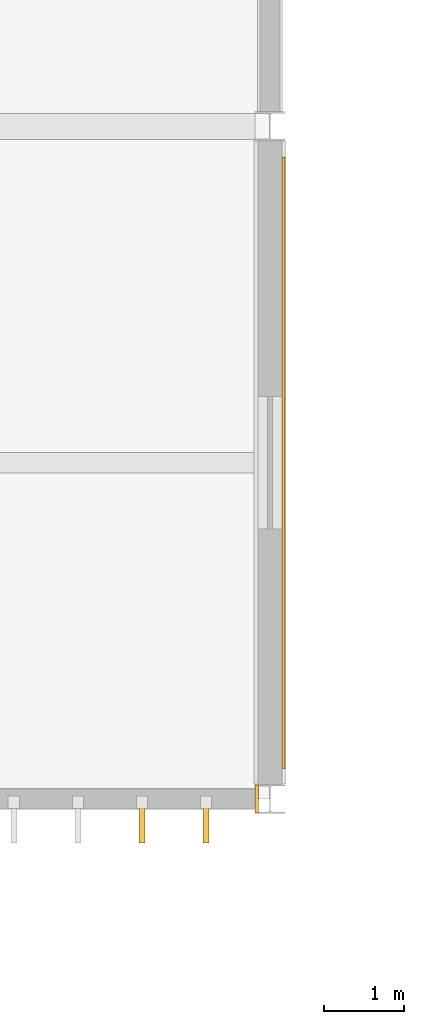
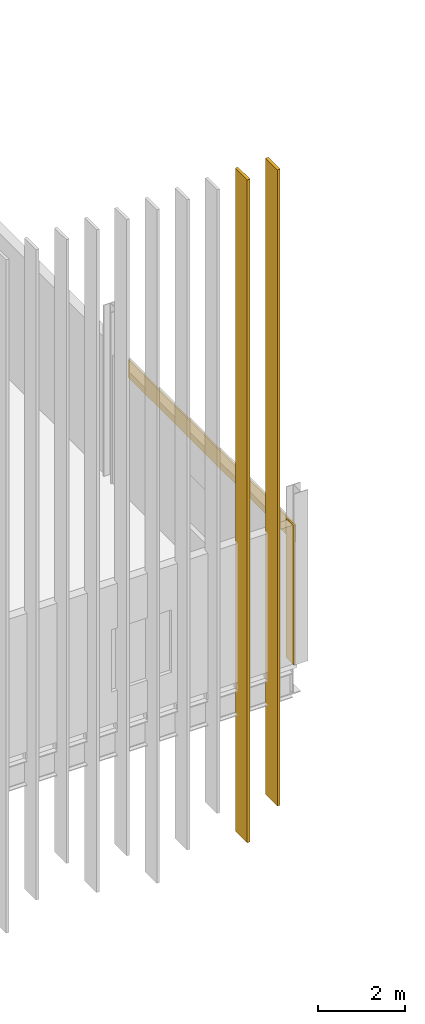
# One storey, part 64 of 72: 4 coverings.
"""IFC4 building model written with IfcOpenShell, lengths in metres."""

import ifcopenshell
import ifcopenshell.guid

model = None  # the IFC model being written
_history = None  # IfcOwnerHistory: only IFC2X3 demands one
_inside = {}  # id of a spatial element -> (the spatial element, [elements in it])
_under = {}  # id of a project, library or spatial element -> (it, [spatial elements below it])
_declared = {}  # id of a project -> (the project, [libraries it declares])
_typed = {}  # id of a type object -> (the type object, [elements of that type])
_made_of = {}  # id of a material, layer set ... -> (it, [elements and type objects made of it])


def new_model(schema):
    """Start an empty IFC model of exactly this schema.

    Asked for "IFC4X3", IfcOpenShell would pick the latest addendum, in which some entities
    have other attributes; the version numbers below select the first issue.
    IFC2X3 requires an IfcOwnerHistory on every rooted entity: one is made here for all.
    """
    global model, _history
    if schema == "IFC4X3":
        model = ifcopenshell.file(schema_version=(4, 3, 0, 0))
    else:
        model = ifcopenshell.file(schema=schema)
    _inside.clear()
    _under.clear()
    _declared.clear()
    _typed.clear()
    _made_of.clear()
    _history = None
    if model.schema == "IFC2X3":
        org = make("IfcOrganization", Name="unknown")
        user = make(
            "IfcPersonAndOrganization",
            ThePerson=make("IfcPerson", FamilyName="unknown"),
            TheOrganization=org,
        )
        app = make(
            "IfcApplication",
            ApplicationDeveloper=org,
            Version="unknown",
            ApplicationFullName="unknown",
            ApplicationIdentifier="unknown",
        )
        _history = make(
            "IfcOwnerHistory",
            OwningUser=user,
            OwningApplication=app,
            ChangeAction="ADDED",
            CreationDate=0,
        )
    return model


def make(cls, **values):
    """One entity of the class cls with the attributes given. An attribute that is None is left unset."""
    return model.create_entity(
        cls, **{name: value for name, value in values.items() if value is not None}
    )


def rooted(cls, **values):
    """An entity with a GlobalId (a new one), such as an element, a storey or a relation."""
    return make(cls, GlobalId=ifcopenshell.guid.new(), OwnerHistory=_history, **values)


def si_unit(unit_type, name, prefix=None):
    """IfcSIUnit, for example si_unit("LENGTHUNIT", "METRE", prefix="MILLI")."""
    return make("IfcSIUnit", UnitType=unit_type, Prefix=prefix, Name=name)


def assignment(units):
    """IfcUnitAssignment: the units of a project."""
    return None if units is None else make("IfcUnitAssignment", Units=units)


def point(xyz):
    """IfcCartesianPoint."""
    return None if xyz is None else make("IfcCartesianPoint", Coordinates=xyz)


def direction(xyz):
    """IfcDirection."""
    return None if xyz is None else make("IfcDirection", DirectionRatios=xyz)


def frame(location, z_axis=None, x_axis=None):
    """IfcAxis2Placement3D, a coordinate frame: its origin and axes. An axis left out is left unset."""
    return make(
        "IfcAxis2Placement3D",
        Location=point(location),
        Axis=direction(z_axis),
        RefDirection=direction(x_axis),
    )


def frame_2d(location, x_axis=None):
    """IfcAxis2Placement2D, a coordinate frame in the plane: its origin and x axis."""
    return make(
        "IfcAxis2Placement2D", Location=point(location), RefDirection=direction(x_axis)
    )


def origin():
    """The frame at (0, 0, 0) with its axes left unset."""
    return frame((0.0, 0.0, 0.0))


def origin_2d():
    """The frame at (0, 0) in the plane with its x axis left unset."""
    return frame_2d((0.0, 0.0))


def place(relative_to, where):
    """IfcLocalPlacement: puts the frame where relative to a parent placement (None: the world)."""
    return make(
        "IfcLocalPlacement", PlacementRelTo=relative_to, RelativePlacement=where
    )


def context(
    kind, dimensions, precision=None, world=None, true_north=None, identifier=None
):
    """IfcGeometricRepresentationContext, for example the 3D "Model" context."""
    return make(
        "IfcGeometricRepresentationContext",
        ContextIdentifier=identifier,
        ContextType=kind,
        CoordinateSpaceDimension=dimensions,
        Precision=precision,
        WorldCoordinateSystem=world,
        TrueNorth=true_north,
    )


def subcontext(parent, identifier, kind, view, scale=None):
    """IfcGeometricRepresentationSubContext, for example "Body" below "Model"."""
    return make(
        "IfcGeometricRepresentationSubContext",
        ContextIdentifier=identifier,
        ContextType=kind,
        ParentContext=parent,
        TargetScale=scale,
        TargetView=view,
    )


def project(units=None, contexts=None):
    """IfcProject with its units and contexts."""
    return rooted(
        "IfcProject",
        Name="project",
        RepresentationContexts=contexts,
        UnitsInContext=assignment(units),
    )


def spatial(cls, under=None, at=None, **own):
    """A site, building, storey or space (cls), placed at a placement, below another one or the project."""
    s = rooted(cls, ObjectPlacement=at, **own)
    if under is not None:
        _under.setdefault(under.id(), (under, []))[1].append(s)
    return s


def polyline(points):
    """IfcPolyline through the points."""
    return make("IfcPolyline", Points=[point(p) for p in points])


def profile(cls, at=None, kind="AREA", **sizes):
    """A parametric profile (cls). Its sizes go by their IFC names, for example OverallWidth=200.0."""
    return make(cls, ProfileType=kind, Position=at, **sizes)


def rectangle(**sizes):
    """IfcRectangleProfileDef."""
    return profile("IfcRectangleProfileDef", **sizes)


def outline(outer, holes=None, kind="AREA"):
    """IfcArbitraryClosedProfileDef: a profile drawn as a closed curve; with holes, ...WithVoids."""
    if holes is None:
        return make("IfcArbitraryClosedProfileDef", ProfileType=kind, OuterCurve=outer)
    return make(
        "IfcArbitraryProfileDefWithVoids",
        ProfileType=kind,
        OuterCurve=outer,
        InnerCurves=holes,
    )


def extrude(swept, where, along, depth):
    """IfcExtrudedAreaSolid: the profile swept, set in the frame where, extruded along a direction by depth."""
    return make(
        "IfcExtrudedAreaSolid",
        SweptArea=swept,
        Position=where,
        ExtrudedDirection=direction(along),
        Depth=depth,
    )


def shape(context_of_items, identifier, shape_type, items):
    """IfcShapeRepresentation: the items that make up one representation, for example the "Body"."""
    return make(
        "IfcShapeRepresentation",
        ContextOfItems=context_of_items,
        RepresentationIdentifier=identifier,
        RepresentationType=shape_type,
        Items=items,
    )


def material(Name=None, Category=None):
    """IfcMaterial."""
    return make("IfcMaterial", Name=Name, Category=Category)


def layer(
    of_material, thickness, ventilated=None, Name=None, Category=None, Priority=None
):
    """IfcMaterialLayer: one layer of a wall or slab, of a material (None: an air gap)."""
    return make(
        "IfcMaterialLayer",
        Material=of_material,
        LayerThickness=thickness,
        IsVentilated=ventilated,
        Name=Name,
        Category=Category,
        Priority=Priority,
    )


def layer_set(layers, Name=None):
    """IfcMaterialLayerSet."""
    return make("IfcMaterialLayerSet", MaterialLayers=layers, LayerSetName=Name)


def made_of(thing, what):
    """Note that an element or type object is made of a material, layer set ...; save() writes the relation."""
    if what is not None:
        _made_of.setdefault(what.id(), (what, []))[1].append(thing)
    return thing


def type_object(cls, material=None, **own):
    """A type object (cls), such as IfcWallType, which elements share."""
    return made_of(rooted(cls, **own), material)


def element(
    cls,
    number,
    at=None,
    inside=None,
    cuts=None,
    type_object=None,
    material=None,
    context=None,
    identifier="Body",
    shape_type=None,
    held_by="IfcProductDefinitionShape",
    body=None,
    shapes=None,
    **own,
):
    """One element of the class cls, such as IfcWall. Its Tag is "e" and its number.

    at: its placement. inside: the storey or other place that contains it. cuts: it is an
    opening in that element (IfcRelVoidsElement). A single representation is given by context,
    identifier, shape_type and body (its items); several are given by shapes. held_by: the class
    of the entity that holds the representations. save() writes the other relations.
    """
    e = rooted(cls, Tag="e%d" % number, ObjectPlacement=at, **own)
    if body is not None:
        shapes = [shape(context, identifier, shape_type, body)]
    if shapes is not None:
        e.Representation = make(held_by, Representations=shapes)
    if inside is not None:
        _inside.setdefault(inside.id(), (inside, []))[1].append(e)
    if cuts is not None:
        rooted(
            "IfcRelVoidsElement", RelatingBuildingElement=cuts, RelatedOpeningElement=e
        )
    if type_object is not None:
        _typed.setdefault(type_object.id(), (type_object, []))[1].append(e)
    return made_of(e, material)


def aggregate(whole, parts):
    """IfcRelAggregates: a whole, such as a stair, and the parts it consists of."""
    return rooted("IfcRelAggregates", RelatingObject=whole, RelatedObjects=parts)


def save(model, path):
    """Write the relations noted so far, then the file.

    IfcRelAggregates (storeys below a building ...), IfcRelContainedInSpatialStructure (elements
    in a storey), IfcRelDefinesByType, IfcRelAssociatesMaterial and IfcRelDeclares: one each for
    every whole, place, type object, material and project.
    """
    for whole, parts in _under.values():
        aggregate(whole, parts)
    for where, things in _inside.values():
        rooted(
            "IfcRelContainedInSpatialStructure",
            RelatedElements=things,
            RelatingStructure=where,
        )
    for kind, things in _typed.values():
        rooted("IfcRelDefinesByType", RelatedObjects=things, RelatingType=kind)
    for what, things in _made_of.values():
        rooted("IfcRelAssociatesMaterial", RelatedObjects=things, RelatingMaterial=what)
    for by, libraries in _declared.values():
        rooted("IfcRelDeclares", RelatingContext=by, RelatedDefinitions=libraries)
    model.write(path)


model = new_model("IFC4")

# Units and contexts
model_context = context("Model", 3, precision=1e-05, world=origin(), true_north=direction((0.0, 1.0)))
body_context = subcontext(model_context, "Body", "Model", "MODEL_VIEW")
ifc_project = project(units=[si_unit("LENGTHUNIT", "METRE"), si_unit("AREAUNIT", "SQUARE_METRE"), si_unit("VOLUMEUNIT", "CUBIC_METRE"), si_unit("PLANEANGLEUNIT", "RADIAN"), si_unit("MASSUNIT", "GRAM", prefix="KILO")], contexts=[model_context])

# Site, building, storey
site_placement = place(None, origin())
site = spatial("IfcSite", under=ifc_project, at=site_placement, CompositionType="ELEMENT")
building_placement = place(site_placement, origin())
building = spatial("IfcBuilding", under=site, at=building_placement, Name="Calvrana Isthmian Art Gallery", CompositionType="ELEMENT")
storey_placement = place(building_placement, frame((0.0, 0.0, 15.0)))
storey = spatial("IfcBuildingStorey", under=building, at=storey_placement, Name="L03", CompositionType="ELEMENT", Elevation=15.0)

# Coverings
ifc_material_1 = material(Name="Polychrome glazed terracotta", Category="masonry")
ifc_layer_1 = layer(ifc_material_1, 0.0400390625, Name="Polychrome glazed terracotta")
ifc_layer_set_1 = layer_set([ifc_layer_1], Name="Polychrome glazed terracotta")
covering_type_1 = type_object("IfcCoveringType", Name="COV-CLAD-TERRA", PredefinedType="CLADDING", material=ifc_layer_set_1)
covering_1_placement = place(storey_placement, origin())
element("IfcCovering", 1, at=covering_1_placement, inside=storey, type_object=covering_type_1, Name="Column pocket weather closure L03-09-03-E", PredefinedType="CLADDING", context=body_context, shape_type="SweptSolid", body=[
    extrude(outline(polyline([(80.214599609375, 21.423583984375), (80.25439453125, 21.423583984375), (80.25439453125, 21.776611328125), (80.214599609375, 21.776611328125), (80.214599609375, 21.423583984375)])), origin(), (0.0, 0.0, 1.0), 3.89794921875),
])
covering_2_placement = place(storey_placement, frame((80.568115234375, 25.798583984375, 2.992919921875), z_axis=(0.0, 0.0, 1.0), x_axis=(0.0, -1.0, 0.0)))
element("IfcCovering", 2, at=covering_2_placement, inside=storey, type_object=covering_type_1, Name="Terracotta spandrel cladding 165", PredefinedType="CLADDING", context=body_context, shape_type="SweptSolid", body=[
    extrude(rectangle(XDim=7.634521484375, YDim=0.0400390625, at=origin_2d()), origin(), (0.0, 0.0, 1.0), 0.5),
])
ifc_material_2 = material(Name="Anodized bronze aluminium 6063-T6", Category="aluminium")
ifc_layer_2 = layer(ifc_material_2, 0.074951171875, Name="Anodized bronze aluminium 6063-T6")
ifc_layer_set_2 = layer_set([ifc_layer_2], Name="Anodized bronze aluminium 6063-T6")
covering_type_2 = type_object("IfcCoveringType", Name="COV-FIN-550", PredefinedType="CLADDING", material=ifc_layer_set_2)
covering_3_placement = place(storey_placement, frame((78.800048828125, 21.326904296875, -4.25), z_axis=(0.0, 0.0, 1.0), x_axis=(1.0, 0.0, 0.0)))
element("IfcCovering", 3, at=covering_3_placement, inside=storey, type_object=covering_type_2, Name="Anodized bronze vertical solar fin FN-071", PredefinedType="CLADDING", context=body_context, shape_type="SweptSolid", body=[
    extrude(rectangle(XDim=0.074951171875, YDim=0.550048828125, at=origin_2d()), origin(), (0.0, 0.0, 1.0), 18.60009765625),
])
covering_4_placement = place(storey_placement, frame((79.60009765625, 21.326904296875, -3.5), z_axis=(0.0, 0.0, 1.0), x_axis=(1.0, 0.0, 0.0)))
element("IfcCovering", 4, at=covering_4_placement, inside=storey, type_object=covering_type_2, Name="Anodized bronze vertical solar fin FN-072", PredefinedType="CLADDING", context=body_context, shape_type="SweptSolid", body=[
    extrude(rectangle(XDim=0.074951171875, YDim=0.550048828125, at=origin_2d()), origin(), (0.0, 0.0, 1.0), 17.85009765625),
])

save(model, "model.ifc")
